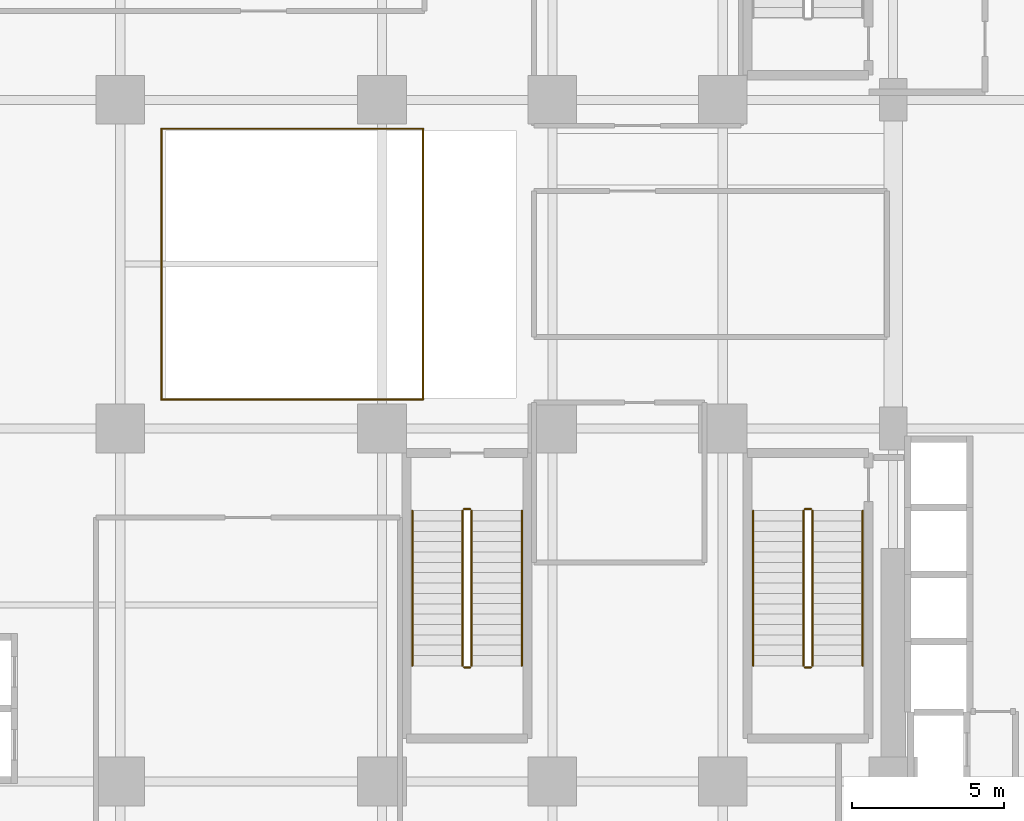
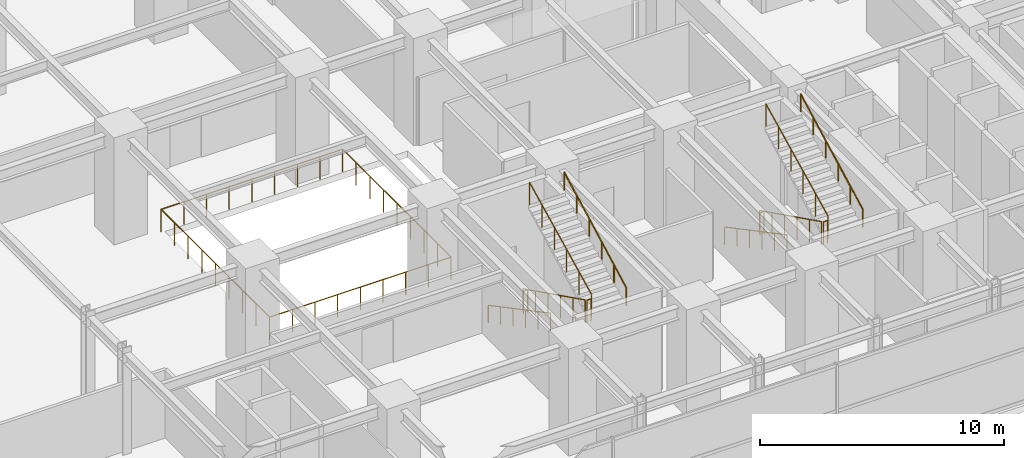
# One storey, part 31 of 32: 16 railings.
"""IFC4 building model written with IfcOpenShell, lengths in metres."""

from ifc_helpers import new_model, si_unit, direction, frame, origin, origin_2d, place, context, subcontext, project, spatial, circle, extrude, material, type_object, element, save


model = new_model("IFC4")

# Units and contexts
model_context = context("Model", 3, precision=1e-05, world=origin(), true_north=direction((0.0, 1.0)))
body_context = subcontext(model_context, "Body", "Model", "MODEL_VIEW")
ifc_project = project(units=[si_unit("LENGTHUNIT", "METRE"), si_unit("AREAUNIT", "SQUARE_METRE"), si_unit("VOLUMEUNIT", "CUBIC_METRE"), si_unit("PLANEANGLEUNIT", "RADIAN"), si_unit("MASSUNIT", "GRAM", prefix="KILO")], contexts=[model_context])

# Site, building, storey
site_placement = place(None, origin())
site = spatial("IfcSite", under=ifc_project, at=site_placement, CompositionType="ELEMENT")
building_placement = place(site_placement, origin())
building = spatial("IfcBuilding", under=site, at=building_placement, Name="Nahalor Promenade Grand Hotel", CompositionType="ELEMENT")
storey_placement = place(building_placement, frame((0.0, 0.0, 5.39990234375)))
storey = spatial("IfcBuildingStorey", under=building, at=storey_placement, Name="L01", CompositionType="ELEMENT", Elevation=5.39990234375)

# Railings
ifc_material_1 = material(Name="Anodised Bronze Aluminium EN AW-6063 T6", Category="aluminium")
railing_type_1 = type_object("IfcRailingType", Name="Bronze Sky Balustrade 1150 mm", PredefinedType="BALUSTRADE", material=ifc_material_1)
railing_1_placement = place(storey_placement, frame((-15.64990234375, -4.449951171875, 0.0)))
element("IfcRailing", 1, at=railing_1_placement, inside=storey, type_object=railing_type_1, Name="L01 Edge Guardrail BL-L01-ATR-1", PredefinedType="BALUSTRADE", context=body_context, shape_type="SweptSolid", body=[
    extrude(circle(Radius=0.024048, at=origin_2d()), frame((0.0, 0.0, 1.1259765625), z_axis=(1.0, 0.0, 0.0), x_axis=(0.0, 1.0, 0.0)), (0.0, 0.0, 1.0), 8.599853515625),
    extrude(circle(Radius=0.020996, at=origin_2d()), origin(), (0.0, 0.0, 1.0), 1.099853515625),
    extrude(circle(Radius=0.020996, at=origin_2d()), frame((1.074951171875, 0.0, 0.0)), (0.0, 0.0, 1.0), 1.099853515625),
    extrude(circle(Radius=0.020996, at=origin_2d()), frame((2.14990234375, 0.0, 0.0)), (0.0, 0.0, 1.0), 1.099853515625),
    extrude(circle(Radius=0.020996, at=origin_2d()), frame((3.224853515625, 0.0, 0.0)), (0.0, 0.0, 1.0), 1.099853515625),
    extrude(circle(Radius=0.020996, at=origin_2d()), frame((4.2998046875, 0.0, 0.0)), (0.0, 0.0, 1.0), 1.099853515625),
    extrude(circle(Radius=0.020996, at=origin_2d()), frame((5.375, 0.0, 0.0)), (0.0, 0.0, 1.0), 1.099853515625),
    extrude(circle(Radius=0.020996, at=origin_2d()), frame((6.449951171875, 0.0, 0.0)), (0.0, 0.0, 1.0), 1.099853515625),
    extrude(circle(Radius=0.020996, at=origin_2d()), frame((7.52490234375, 0.0, 0.0)), (0.0, 0.0, 1.0), 1.099853515625),
    extrude(circle(Radius=0.020996, at=origin_2d()), frame((8.599853515625, 0.0, 0.0)), (0.0, 0.0, 1.0), 1.099853515625),
])
railing_2_placement = place(storey_placement, frame((-7.050048828125, -4.449951171875, 0.0)))
element("IfcRailing", 2, at=railing_2_placement, inside=storey, type_object=railing_type_1, Name="L01 Edge Guardrail BL-L01-ATR-2", PredefinedType="BALUSTRADE", context=body_context, shape_type="SweptSolid", body=[
    extrude(circle(Radius=0.024048, at=origin_2d()), frame((0.0, 0.0, 1.1259765625), z_axis=(0.0, 1.0, 0.0), x_axis=(-1.0, 0.0, 0.0)), (0.0, 0.0, 1.0), 8.89990234375),
    extrude(circle(Radius=0.020996, at=origin_2d()), origin(), (0.0, 0.0, 1.0), 1.099853515625),
    extrude(circle(Radius=0.020996, at=origin_2d()), frame((0.0, 1.112548828125, 0.0)), (0.0, 0.0, 1.0), 1.099853515625),
    extrude(circle(Radius=0.020996, at=origin_2d()), frame((0.0, 2.22509765625, 0.0)), (0.0, 0.0, 1.0), 1.099853515625),
    extrude(circle(Radius=0.020996, at=origin_2d()), frame((0.0, 3.33740234375, 0.0)), (0.0, 0.0, 1.0), 1.099853515625),
    extrude(circle(Radius=0.020996, at=origin_2d()), frame((0.0, 4.449951171875, 0.0)), (0.0, 0.0, 1.0), 1.099853515625),
    extrude(circle(Radius=0.020996, at=origin_2d()), frame((0.0, 5.5625, 0.0)), (0.0, 0.0, 1.0), 1.099853515625),
    extrude(circle(Radius=0.020996, at=origin_2d()), frame((0.0, 6.6748046875, 0.0)), (0.0, 0.0, 1.0), 1.099853515625),
    extrude(circle(Radius=0.020996, at=origin_2d()), frame((0.0, 7.787353515625, 0.0)), (0.0, 0.0, 1.0), 1.099853515625),
    extrude(circle(Radius=0.020996, at=origin_2d()), frame((0.0, 8.89990234375, 0.0)), (0.0, 0.0, 1.0), 1.099853515625),
])
railing_3_placement = place(storey_placement, frame((-7.050048828125, 4.449951171875, 0.0)))
element("IfcRailing", 3, at=railing_3_placement, inside=storey, type_object=railing_type_1, Name="L01 Edge Guardrail BL-L01-ATR-3", PredefinedType="BALUSTRADE", context=body_context, shape_type="SweptSolid", body=[
    extrude(circle(Radius=0.024048, at=origin_2d()), frame((0.0, 0.0, 1.1259765625), z_axis=(-1.0, 0.0, 0.0), x_axis=(0.0, -1.0, 0.0)), (0.0, 0.0, 1.0), 8.599853515625),
    extrude(circle(Radius=0.020996, at=origin_2d()), origin(), (0.0, 0.0, 1.0), 1.099853515625),
    extrude(circle(Radius=0.020996, at=origin_2d()), frame((-1.074951171875, 0.0, 0.0)), (0.0, 0.0, 1.0), 1.099853515625),
    extrude(circle(Radius=0.020996, at=origin_2d()), frame((-2.14990234375, 0.0, 0.0)), (0.0, 0.0, 1.0), 1.099853515625),
    extrude(circle(Radius=0.020996, at=origin_2d()), frame((-3.224853515625, 0.0, 0.0)), (0.0, 0.0, 1.0), 1.099853515625),
    extrude(circle(Radius=0.020996, at=origin_2d()), frame((-4.2998046875, 0.0, 0.0)), (0.0, 0.0, 1.0), 1.099853515625),
    extrude(circle(Radius=0.020996, at=origin_2d()), frame((-5.375, 0.0, 0.0)), (0.0, 0.0, 1.0), 1.099853515625),
    extrude(circle(Radius=0.020996, at=origin_2d()), frame((-6.449951171875, 0.0, 0.0)), (0.0, 0.0, 1.0), 1.099853515625),
    extrude(circle(Radius=0.020996, at=origin_2d()), frame((-7.52490234375, 0.0, 0.0)), (0.0, 0.0, 1.0), 1.099853515625),
    extrude(circle(Radius=0.020996, at=origin_2d()), frame((-8.599853515625, 0.0, 0.0)), (0.0, 0.0, 1.0), 1.099853515625),
])
railing_4_placement = place(storey_placement, frame((-15.64990234375, 4.449951171875, 0.0)))
element("IfcRailing", 4, at=railing_4_placement, inside=storey, type_object=railing_type_1, Name="L01 Edge Guardrail BL-L01-ATR-4", PredefinedType="BALUSTRADE", context=body_context, shape_type="SweptSolid", body=[
    extrude(circle(Radius=0.024048, at=origin_2d()), frame((0.0, 0.0, 1.1259765625), z_axis=(0.0, -1.0, 0.0), x_axis=(1.0, 0.0, 0.0)), (0.0, 0.0, 1.0), 8.89990234375),
    extrude(circle(Radius=0.020996, at=origin_2d()), origin(), (0.0, 0.0, 1.0), 1.099853515625),
    extrude(circle(Radius=0.020996, at=origin_2d()), frame((0.0, -1.112548828125, 0.0)), (0.0, 0.0, 1.0), 1.099853515625),
    extrude(circle(Radius=0.020996, at=origin_2d()), frame((0.0, -2.22509765625, 0.0)), (0.0, 0.0, 1.0), 1.099853515625),
    extrude(circle(Radius=0.020996, at=origin_2d()), frame((0.0, -3.33740234375, 0.0)), (0.0, 0.0, 1.0), 1.099853515625),
    extrude(circle(Radius=0.020996, at=origin_2d()), frame((0.0, -4.449951171875, 0.0)), (0.0, 0.0, 1.0), 1.099853515625),
    extrude(circle(Radius=0.020996, at=origin_2d()), frame((0.0, -5.5625, 0.0)), (0.0, 0.0, 1.0), 1.099853515625),
    extrude(circle(Radius=0.020996, at=origin_2d()), frame((0.0, -6.6748046875, 0.0)), (0.0, 0.0, 1.0), 1.099853515625),
    extrude(circle(Radius=0.020996, at=origin_2d()), frame((0.0, -7.787353515625, 0.0)), (0.0, 0.0, 1.0), 1.099853515625),
    extrude(circle(Radius=0.020996, at=origin_2d()), frame((0.0, -8.89990234375, 0.0)), (0.0, 0.0, 1.0), 1.099853515625),
])
ifc_material_2 = material(Name="Steel S355JR", Category="steel")
railing_type_2 = type_object("IfcRailingType", Name="Steel Stair Guardrail 1150 mm", PredefinedType="GUARDRAIL", material=ifc_material_2)
railing_5_placement = place(storey_placement, frame((5.449951171875, -8.10009765625, 0.1689453125)))
element("IfcRailing", 5, at=railing_5_placement, inside=storey, type_object=railing_type_2, Name="L01 ST2 stair guard 1", PredefinedType="GUARDRAIL", context=body_context, shape_type="SweptSolid", body=[
    extrude(circle(Radius=0.024048, at=origin_2d()), frame((0.0, 0.0, 1.1259765625), z_axis=(0.0, -0.895735491292, 0.444587370086), x_axis=(1.0, 0.0, 0.0)), (0.0, 0.0, 1.0), 5.693603515625),
    extrude(circle(Radius=0.020996, at=origin_2d()), origin(), (0.0, 0.0, 1.0), 1.099853515625),
    extrude(circle(Radius=0.020996, at=origin_2d()), frame((0.0, -1.02001953125, 0.50634765625)), (0.0, 0.0, 1.0), 1.099853515625),
    extrude(circle(Radius=0.020996, at=origin_2d()), frame((0.0, -2.0400390625, 1.012451171875)), (0.0, 0.0, 1.0), 1.099853515625),
    extrude(circle(Radius=0.020996, at=origin_2d()), frame((0.0, -3.059814453125, 1.518798828125)), (0.0, 0.0, 1.0), 1.099853515625),
    extrude(circle(Radius=0.020996, at=origin_2d()), frame((0.0, -4.079833984375, 2.02490234375)), (0.0, 0.0, 1.0), 1.099853515625),
    extrude(circle(Radius=0.020996, at=origin_2d()), frame((0.0, -5.099853515625, 2.53125)), (0.0, 0.0, 1.0), 1.099853515625),
])
railing_6_placement = place(storey_placement, frame((5.5, -13.25, 2.7001953125)))
element("IfcRailing", 6, at=railing_6_placement, inside=storey, type_object=railing_type_2, Name="L01 ST2 stair guard 2", PredefinedType="GUARDRAIL", context=body_context, shape_type="SweptSolid", body=[
    extrude(circle(Radius=0.024048, at=origin_2d()), frame((0.0, 0.0, 1.1259765625), z_axis=(1.0, 0.0, 0.0), x_axis=(0.0, 1.0, 0.0)), (0.0, 0.0, 1.0), 0.199951171875),
    extrude(circle(Radius=0.020996, at=origin_2d()), origin(), (0.0, 0.0, 1.0), 1.099853515625),
    extrude(circle(Radius=0.020996, at=origin_2d()), frame((0.199951171875, 0.0, 0.0)), (0.0, 0.0, 1.0), 1.099853515625),
])
railing_7_placement = place(storey_placement, frame((5.75, -13.199951171875, 2.868896484375)))
element("IfcRailing", 7, at=railing_7_placement, inside=storey, type_object=railing_type_2, Name="L01 ST2 stair guard 3", PredefinedType="GUARDRAIL", context=body_context, shape_type="SweptSolid", body=[
    extrude(circle(Radius=0.024048, at=origin_2d()), frame((0.0, 0.0, 1.1259765625), z_axis=(0.0, 0.895735491292, 0.444587370086), x_axis=(-1.0, 0.0, 0.0)), (0.0, 0.0, 1.0), 5.693603515625),
    extrude(circle(Radius=0.020996, at=origin_2d()), origin(), (0.0, 0.0, 1.0), 1.099853515625),
    extrude(circle(Radius=0.020996, at=origin_2d()), frame((0.0, 1.02001953125, 0.50634765625)), (0.0, 0.0, 1.0), 1.099853515625),
    extrude(circle(Radius=0.020996, at=origin_2d()), frame((0.0, 2.0400390625, 1.012451171875)), (0.0, 0.0, 1.0), 1.099853515625),
    extrude(circle(Radius=0.020996, at=origin_2d()), frame((0.0, 3.059814453125, 1.518798828125)), (0.0, 0.0, 1.0), 1.099853515625),
    extrude(circle(Radius=0.020996, at=origin_2d()), frame((0.0, 4.079833984375, 2.02490234375)), (0.0, 0.0, 1.0), 1.099853515625),
    extrude(circle(Radius=0.020996, at=origin_2d()), frame((0.0, 5.099853515625, 2.53125)), (0.0, 0.0, 1.0), 1.099853515625),
])
railing_8_placement = place(storey_placement, frame((5.5, -8.050048828125, 0.0)))
element("IfcRailing", 8, at=railing_8_placement, inside=storey, type_object=railing_type_2, Name="L01 ST2 stair guard 4", PredefinedType="GUARDRAIL", context=body_context, shape_type="SweptSolid", body=[
    extrude(circle(Radius=0.024048, at=origin_2d()), frame((0.0, 0.0, 1.1259765625), z_axis=(1.0, 0.0, 0.0), x_axis=(0.0, 1.0, 0.0)), (0.0, 0.0, 1.0), 0.199951171875),
    extrude(circle(Radius=0.020996, at=origin_2d()), origin(), (0.0, 0.0, 1.0), 1.099853515625),
    extrude(circle(Radius=0.020996, at=origin_2d()), frame((0.199951171875, 0.0, 0.0)), (0.0, 0.0, 1.0), 1.099853515625),
])
railing_9_placement = place(storey_placement, frame((-5.75, -8.10009765625, 0.1689453125)))
element("IfcRailing", 9, at=railing_9_placement, inside=storey, type_object=railing_type_2, Name="L01 ST3 stair guard 1", PredefinedType="GUARDRAIL", context=body_context, shape_type="SweptSolid", body=[
    extrude(circle(Radius=0.024048, at=origin_2d()), frame((0.0, 0.0, 1.1259765625), z_axis=(0.0, -0.895735491292, 0.444587370086), x_axis=(1.0, 0.0, 0.0)), (0.0, 0.0, 1.0), 5.693603515625),
    extrude(circle(Radius=0.020996, at=origin_2d()), origin(), (0.0, 0.0, 1.0), 1.099853515625),
    extrude(circle(Radius=0.020996, at=origin_2d()), frame((0.0, -1.02001953125, 0.50634765625)), (0.0, 0.0, 1.0), 1.099853515625),
    extrude(circle(Radius=0.020996, at=origin_2d()), frame((0.0, -2.0400390625, 1.012451171875)), (0.0, 0.0, 1.0), 1.099853515625),
    extrude(circle(Radius=0.020996, at=origin_2d()), frame((0.0, -3.059814453125, 1.518798828125)), (0.0, 0.0, 1.0), 1.099853515625),
    extrude(circle(Radius=0.020996, at=origin_2d()), frame((0.0, -4.079833984375, 2.02490234375)), (0.0, 0.0, 1.0), 1.099853515625),
    extrude(circle(Radius=0.020996, at=origin_2d()), frame((0.0, -5.099853515625, 2.53125)), (0.0, 0.0, 1.0), 1.099853515625),
])
railing_10_placement = place(storey_placement, frame((-5.699951171875, -13.25, 2.7001953125)))
element("IfcRailing", 10, at=railing_10_placement, inside=storey, type_object=railing_type_2, Name="L01 ST3 stair guard 2", PredefinedType="GUARDRAIL", context=body_context, shape_type="SweptSolid", body=[
    extrude(circle(Radius=0.024048, at=origin_2d()), frame((0.0, 0.0, 1.1259765625), z_axis=(1.0, 0.0, 0.0), x_axis=(0.0, 1.0, 0.0)), (0.0, 0.0, 1.0), 0.199951171875),
    extrude(circle(Radius=0.020996, at=origin_2d()), origin(), (0.0, 0.0, 1.0), 1.099853515625),
    extrude(circle(Radius=0.020996, at=origin_2d()), frame((0.199951171875, 0.0, 0.0)), (0.0, 0.0, 1.0), 1.099853515625),
])
railing_11_placement = place(storey_placement, frame((-5.449951171875, -13.199951171875, 2.868896484375)))
element("IfcRailing", 11, at=railing_11_placement, inside=storey, type_object=railing_type_2, Name="L01 ST3 stair guard 3", PredefinedType="GUARDRAIL", context=body_context, shape_type="SweptSolid", body=[
    extrude(circle(Radius=0.024048, at=origin_2d()), frame((0.0, 0.0, 1.1259765625), z_axis=(0.0, 0.895735491292, 0.444587370086), x_axis=(-1.0, 0.0, 0.0)), (0.0, 0.0, 1.0), 5.693603515625),
    extrude(circle(Radius=0.020996, at=origin_2d()), origin(), (0.0, 0.0, 1.0), 1.099853515625),
    extrude(circle(Radius=0.020996, at=origin_2d()), frame((0.0, 1.02001953125, 0.50634765625)), (0.0, 0.0, 1.0), 1.099853515625),
    extrude(circle(Radius=0.020996, at=origin_2d()), frame((0.0, 2.0400390625, 1.012451171875)), (0.0, 0.0, 1.0), 1.099853515625),
    extrude(circle(Radius=0.020996, at=origin_2d()), frame((0.0, 3.059814453125, 1.518798828125)), (0.0, 0.0, 1.0), 1.099853515625),
    extrude(circle(Radius=0.020996, at=origin_2d()), frame((0.0, 4.079833984375, 2.02490234375)), (0.0, 0.0, 1.0), 1.099853515625),
    extrude(circle(Radius=0.020996, at=origin_2d()), frame((0.0, 5.099853515625, 2.53125)), (0.0, 0.0, 1.0), 1.099853515625),
])
railing_12_placement = place(storey_placement, frame((-5.699951171875, -8.050048828125, 0.0)))
element("IfcRailing", 12, at=railing_12_placement, inside=storey, type_object=railing_type_2, Name="L01 ST3 stair guard 4", PredefinedType="GUARDRAIL", context=body_context, shape_type="SweptSolid", body=[
    extrude(circle(Radius=0.024048, at=origin_2d()), frame((0.0, 0.0, 1.1259765625), z_axis=(1.0, 0.0, 0.0), x_axis=(0.0, 1.0, 0.0)), (0.0, 0.0, 1.0), 0.199951171875),
    extrude(circle(Radius=0.020996, at=origin_2d()), origin(), (0.0, 0.0, 1.0), 1.099853515625),
    extrude(circle(Radius=0.020996, at=origin_2d()), frame((0.199951171875, 0.0, 0.0)), (0.0, 0.0, 1.0), 1.099853515625),
])
railing_type_3 = type_object("IfcRailingType", Name="Steel Stair Handrail 900 mm", PredefinedType="HANDRAIL", material=ifc_material_2)
railing_13_placement = place(storey_placement, frame((3.800048828125, -8.10009765625, 0.1689453125)))
element("IfcRailing", 13, at=railing_13_placement, inside=storey, type_object=railing_type_3, Name="L01 ST2 stair handrail 1", PredefinedType="HANDRAIL", context=body_context, shape_type="SweptSolid", body=[
    extrude(circle(Radius=0.024048, at=origin_2d()), frame((0.0, 0.0, 0.8759765625), z_axis=(0.0, -0.883785858079, 0.467891608238), x_axis=(1.0, 0.0, 0.0)), (0.0, 0.0, 1.0), 5.7705078125),
    extrude(circle(Radius=0.020996, at=origin_2d()), origin(), (0.0, 0.0, 1.0), 0.849853515625),
    extrude(circle(Radius=0.020996, at=origin_2d()), frame((0.0, -1.02001953125, 0.5400390625)), (0.0, 0.0, 1.0), 0.849853515625),
    extrude(circle(Radius=0.020996, at=origin_2d()), frame((0.0, -2.0400390625, 1.080078125)), (0.0, 0.0, 1.0), 0.849853515625),
    extrude(circle(Radius=0.020996, at=origin_2d()), frame((0.0, -3.059814453125, 1.619873046875)), (0.0, 0.0, 1.0), 0.849853515625),
    extrude(circle(Radius=0.020996, at=origin_2d()), frame((0.0, -4.079833984375, 2.159912109375)), (0.0, 0.0, 1.0), 0.849853515625),
    extrude(circle(Radius=0.020996, at=origin_2d()), frame((0.0, -5.099853515625, 2.699951171875)), (0.0, 0.0, 1.0), 0.849853515625),
])
railing_14_placement = place(storey_placement, frame((7.39990234375, -13.199951171875, 2.868896484375)))
element("IfcRailing", 14, at=railing_14_placement, inside=storey, type_object=railing_type_3, Name="L01 ST2 stair handrail 2", PredefinedType="HANDRAIL", context=body_context, shape_type="SweptSolid", body=[
    extrude(circle(Radius=0.024048, at=origin_2d()), frame((0.0, 0.0, 0.8759765625), z_axis=(0.0, 0.883785858079, 0.467891608238), x_axis=(-1.0, 0.0, 0.0)), (0.0, 0.0, 1.0), 5.7705078125),
    extrude(circle(Radius=0.020996, at=origin_2d()), origin(), (0.0, 0.0, 1.0), 0.849853515625),
    extrude(circle(Radius=0.020996, at=origin_2d()), frame((0.0, 1.02001953125, 0.5400390625)), (0.0, 0.0, 1.0), 0.849853515625),
    extrude(circle(Radius=0.020996, at=origin_2d()), frame((0.0, 2.0400390625, 1.080078125)), (0.0, 0.0, 1.0), 0.849853515625),
    extrude(circle(Radius=0.020996, at=origin_2d()), frame((0.0, 3.059814453125, 1.619873046875)), (0.0, 0.0, 1.0), 0.849853515625),
    extrude(circle(Radius=0.020996, at=origin_2d()), frame((0.0, 4.079833984375, 2.159912109375)), (0.0, 0.0, 1.0), 0.849853515625),
    extrude(circle(Radius=0.020996, at=origin_2d()), frame((0.0, 5.099853515625, 2.699951171875)), (0.0, 0.0, 1.0), 0.849853515625),
])
railing_15_placement = place(storey_placement, frame((-7.39990234375, -8.10009765625, 0.1689453125)))
element("IfcRailing", 15, at=railing_15_placement, inside=storey, type_object=railing_type_3, Name="L01 ST3 stair handrail 1", PredefinedType="HANDRAIL", context=body_context, shape_type="SweptSolid", body=[
    extrude(circle(Radius=0.024048, at=origin_2d()), frame((0.0, 0.0, 0.8759765625), z_axis=(0.0, -0.883785858079, 0.467891608238), x_axis=(1.0, 0.0, 0.0)), (0.0, 0.0, 1.0), 5.7705078125),
    extrude(circle(Radius=0.020996, at=origin_2d()), origin(), (0.0, 0.0, 1.0), 0.849853515625),
    extrude(circle(Radius=0.020996, at=origin_2d()), frame((0.0, -1.02001953125, 0.5400390625)), (0.0, 0.0, 1.0), 0.849853515625),
    extrude(circle(Radius=0.020996, at=origin_2d()), frame((0.0, -2.0400390625, 1.080078125)), (0.0, 0.0, 1.0), 0.849853515625),
    extrude(circle(Radius=0.020996, at=origin_2d()), frame((0.0, -3.059814453125, 1.619873046875)), (0.0, 0.0, 1.0), 0.849853515625),
    extrude(circle(Radius=0.020996, at=origin_2d()), frame((0.0, -4.079833984375, 2.159912109375)), (0.0, 0.0, 1.0), 0.849853515625),
    extrude(circle(Radius=0.020996, at=origin_2d()), frame((0.0, -5.099853515625, 2.699951171875)), (0.0, 0.0, 1.0), 0.849853515625),
])
railing_16_placement = place(storey_placement, frame((-3.800048828125, -13.199951171875, 2.868896484375)))
element("IfcRailing", 16, at=railing_16_placement, inside=storey, type_object=railing_type_3, Name="L01 ST3 stair handrail 2", PredefinedType="HANDRAIL", context=body_context, shape_type="SweptSolid", body=[
    extrude(circle(Radius=0.024048, at=origin_2d()), frame((0.0, 0.0, 0.8759765625), z_axis=(0.0, 0.883785858079, 0.467891608238), x_axis=(-1.0, 0.0, 0.0)), (0.0, 0.0, 1.0), 5.7705078125),
    extrude(circle(Radius=0.020996, at=origin_2d()), origin(), (0.0, 0.0, 1.0), 0.849853515625),
    extrude(circle(Radius=0.020996, at=origin_2d()), frame((0.0, 1.02001953125, 0.5400390625)), (0.0, 0.0, 1.0), 0.849853515625),
    extrude(circle(Radius=0.020996, at=origin_2d()), frame((0.0, 2.0400390625, 1.080078125)), (0.0, 0.0, 1.0), 0.849853515625),
    extrude(circle(Radius=0.020996, at=origin_2d()), frame((0.0, 3.059814453125, 1.619873046875)), (0.0, 0.0, 1.0), 0.849853515625),
    extrude(circle(Radius=0.020996, at=origin_2d()), frame((0.0, 4.079833984375, 2.159912109375)), (0.0, 0.0, 1.0), 0.849853515625),
    extrude(circle(Radius=0.020996, at=origin_2d()), frame((0.0, 5.099853515625, 2.699951171875)), (0.0, 0.0, 1.0), 0.849853515625),
])

save(model, "model.ifc")
